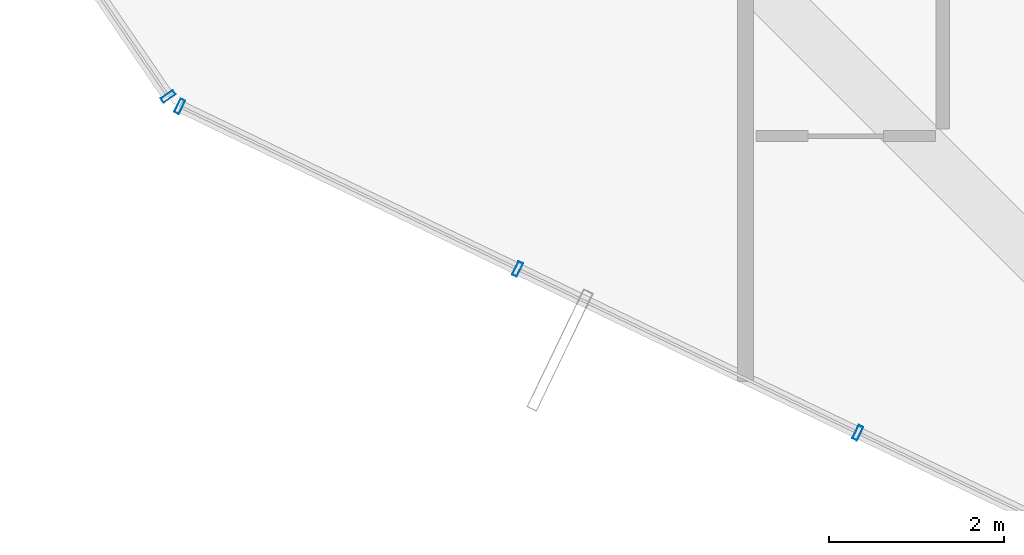
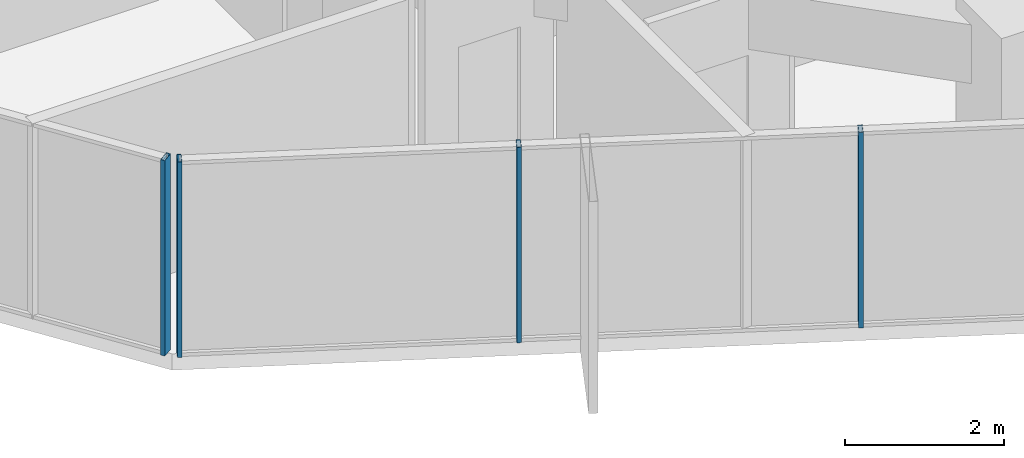
# One storey, part 2 of 35: 4 members, 2 elements without a shape of their own.
"""IFC4 building model written with IfcOpenShell, lengths in metres."""

from ifc_helpers import new_model, si_unit, direction, frame, origin, origin_2d, place, context, subcontext, project, spatial, hollow_rectangle, extrude, source, transform, mapped, material, layer, layer_set, material_profile, profile_set, type_object, element, aggregate, save


model = new_model("IFC4")

# Units and contexts
model_context = context("Model", 3, precision=1e-05, world=origin(), true_north=direction((0.0, 1.0)))
body_context = subcontext(model_context, "Body", "Model", "MODEL_VIEW")
ifc_project = project(units=[si_unit("LENGTHUNIT", "METRE"), si_unit("AREAUNIT", "SQUARE_METRE"), si_unit("VOLUMEUNIT", "CUBIC_METRE"), si_unit("PLANEANGLEUNIT", "RADIAN"), si_unit("MASSUNIT", "GRAM", prefix="KILO")], contexts=[model_context])

# Site, building, storey
site_placement = place(None, origin())
site = spatial("IfcSite", under=ifc_project, at=site_placement, CompositionType="ELEMENT")
building_placement = place(site_placement, origin())
building = spatial("IfcBuilding", under=site, at=building_placement, Name="Veraguas Prism Commons", CompositionType="ELEMENT")
storey_placement = place(building_placement, frame((0.0, 0.0, 142.5)))
storey = spatial("IfcBuildingStorey", under=building, at=storey_placement, Name="L40", CompositionType="ELEMENT", Elevation=142.5)

# Curtain wall, members
ifc_material = material(Name="Anodised aluminium EN AW-6063 T6", Category="aluminium")
ifc_layer = layer(ifc_material, 0.169921875, Name="Unitised Flush Curtain Wall Zone 2", Category="aluminium")
ifc_layer_set = layer_set([ifc_layer], Name="Anodised aluminium EN AW-6063 T6")
curtain_wall_type = type_object("IfcCurtainWallType", Name="Unitised Flush Curtain Wall Zone 2", PredefinedType="NOTDEFINED", material=ifc_layer_set)
curtain_wall_1_placement = place(storey_placement, origin())
curtain_wall_1 = element("IfcCurtainWall", 1, at=curtain_wall_1_placement, inside=storey, type_object=curtain_wall_type, Name="Tower Facade Curtain Wall L40-F4", PredefinedType="NOTDEFINED")
ifc_material_profile = material_profile(ifc_material, hollow_rectangle(XDim=0.06005859375, YDim=0.169921875, WallThickness=0.00390625, at=origin_2d()), Name="AL60X170X4")
ifc_profile_set = profile_set([ifc_material_profile], Name="Anodised aluminium EN AW-6063 T6")
member_type = type_object("IfcMemberType", Name="Curtain Wall Mullion Lower AL 60x170x4", PredefinedType="MULLION", material=ifc_profile_set)
shared_shape = source(origin(), body_context, "Body", "SweptSolid", [
    extrude(hollow_rectangle(XDim=0.06005859375, YDim=0.169921875, WallThickness=0.00390625, at=origin_2d()), origin(), (0.0, 0.0, 1.0), 3.0),
])
member_1_placement = place(storey_placement, frame((7.943603515625, 10.439208984375, 0.0), z_axis=(0.0, 0.0, 1.0), x_axis=(0.901075507561, -0.433662229937, 0.0)))
member_1 = element("IfcMember", 2, at=member_1_placement, type_object=member_type, Name="CW-Z2 Mullion 1", PredefinedType="MULLION", context=body_context, shape_type="MappedRepresentation", body=[
    mapped(shared_shape, transform((0.0, 0.0, 0.0), scale=1.0)),
])
member_2_placement = place(storey_placement, frame((11.799072265625, 8.583740234375, 0.0), z_axis=(0.0, 0.0, 1.0), x_axis=(0.901075507561, -0.433662229937, 0.0)))
member_2 = element("IfcMember", 3, at=member_2_placement, type_object=member_type, Name="CW-Z2 Mullion 2", PredefinedType="MULLION", context=body_context, shape_type="MappedRepresentation", body=[
    mapped(shared_shape, transform((0.0, 0.0, 0.0), scale=1.0)),
])
member_3_placement = place(storey_placement, frame((15.681396484375, 6.715087890625, 0.0), z_axis=(0.0, 0.0, 1.0), x_axis=(0.901075507561, -0.433662229937, 0.0)))
member_3 = element("IfcMember", 4, at=member_3_placement, type_object=member_type, Name="CW-Z2 Mullion 3", PredefinedType="MULLION", context=body_context, shape_type="MappedRepresentation", body=[
    mapped(shared_shape, transform((0.0, 0.0, 0.0), scale=1.0)),
])
aggregate(curtain_wall_1, [member_1, member_2, member_3])

# Curtain wall, member
curtain_wall_2_placement = place(storey_placement, origin())
curtain_wall_2 = element("IfcCurtainWall", 5, at=curtain_wall_2_placement, inside=storey, type_object=curtain_wall_type, Name="Chamfer Curtain Wall L40-C4", PredefinedType="NOTDEFINED")
member_4_placement = place(storey_placement, frame((7.811767578125, 10.552490234375, 0.0), z_axis=(0.0, 0.0, 1.0), x_axis=(0.563537583391, -0.826090426107, 0.0)))
member_4 = element("IfcMember", 6, at=member_4_placement, type_object=member_type, Name="CW-Z2 Mullion 2", PredefinedType="MULLION", context=body_context, shape_type="MappedRepresentation", body=[
    mapped(shared_shape, transform((0.0, 0.0, 0.0), scale=1.0)),
])
aggregate(curtain_wall_2, [member_4])

save(model, "model.ifc")
